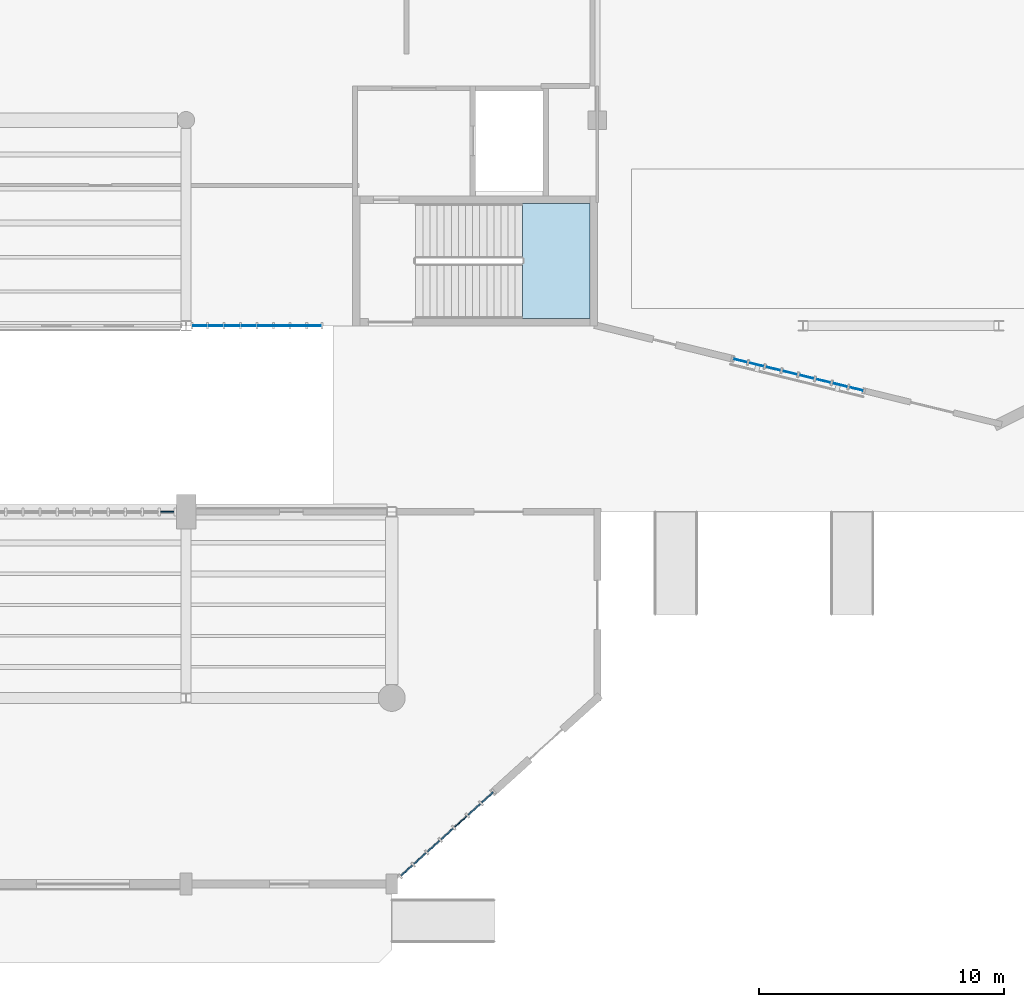
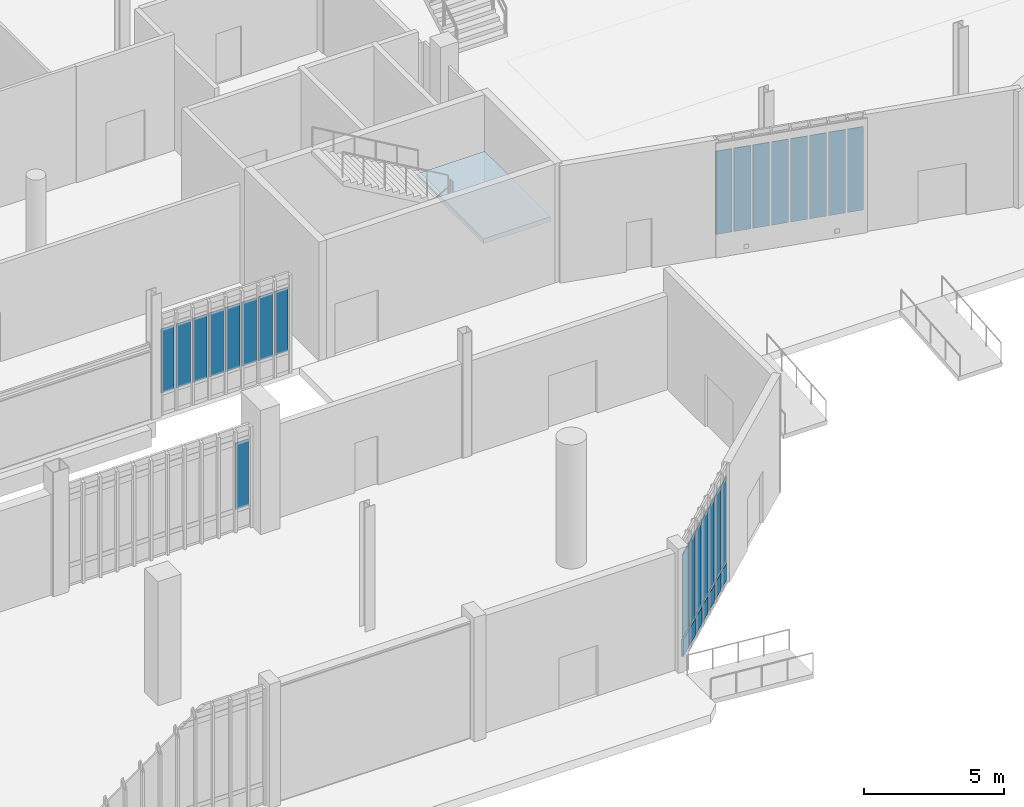
# One storey, part 57 of 111: 31 plates, 1 slab, 5 elements without a shape of their own.
"""IFC4 building model written with IfcOpenShell, lengths in metres."""

from ifc_helpers import new_model, si_unit, direction, frame, origin, origin_2d, place, context, subcontext, project, spatial, polyline, rectangle, outline, extrude, material, layer, layer_set, type_object, element, aggregate, save


model = new_model("IFC4")

# Units and contexts
model_context = context("Model", 3, precision=1e-05, world=origin(), true_north=direction((0.0, 1.0)))
body_context = subcontext(model_context, "Body", "Model", "MODEL_VIEW")
ifc_project = project(units=[si_unit("LENGTHUNIT", "METRE"), si_unit("AREAUNIT", "SQUARE_METRE"), si_unit("VOLUMEUNIT", "CUBIC_METRE"), si_unit("PLANEANGLEUNIT", "RADIAN"), si_unit("MASSUNIT", "GRAM", prefix="KILO")], contexts=[model_context])

# Site, building, storey
site_placement = place(None, origin())
site = spatial("IfcSite", under=ifc_project, at=site_placement, CompositionType="ELEMENT")
building_placement = place(site_placement, origin())
building = spatial("IfcBuilding", under=site, at=building_placement, Name="Larkvane Passage Sports Hall", CompositionType="ELEMENT")
storey_placement = place(building_placement, origin())
storey = spatial("IfcBuildingStorey", under=building, at=storey_placement, Name="L00", CompositionType="ELEMENT", Elevation=0.0)

# Curtain wall, plates
ifc_material_1 = material(Name="Thermally broken aluminium and low-E glazing", Category="aluminium")
curtain_wall_type_1 = type_object("IfcCurtainWallType", Name="CW-UNIT-VEIL", PredefinedType="USERDEFINED", material=ifc_material_1)
curtain_wall_1_placement = place(storey_placement, origin())
curtain_wall_1 = element("IfcCurtainWall", 1, at=curtain_wall_1_placement, inside=storey, type_object=curtain_wall_type_1, Name="Curtain wall CW5-L00-001", ObjectType="UNITISED CURTAIN WALL", PredefinedType="USERDEFINED")
ifc_material_2 = material(Name="Mineral-wool insulated spandrel cassette")
ifc_layer_1 = layer(ifc_material_2, 0.0849609375)
ifc_layer_set_1 = layer_set([ifc_layer_1], Name="Mineral-wool insulated spandrel cassette")
plate_type_1 = type_object("IfcPlateType", Name="CWP-SPD-85", PredefinedType="CURTAIN_PANEL", material=ifc_layer_set_1)
plate_1_placement = place(storey_placement, frame((89.10888671875, 3.53662109375, 0.0751953125), z_axis=(0.0, 0.0, 1.0), x_axis=(-0.741531704398, -0.670917827586, 0.0)))
plate_1 = element("IfcPlate", 2, at=plate_1_placement, type_object=plate_type_1, Name="CW-02 panel 1.1", PredefinedType="CURTAIN_PANEL", context=body_context, shape_type="SweptSolid", body=[
    extrude(rectangle(XDim=0.635009765625, YDim=0.0849609375, at=origin_2d()), origin(), (0.0, 0.0, 1.0), 0.737548828125),
])
plate_2_placement = place(storey_placement, frame((88.568603515625, 3.047607421875, 0.0751953125), z_axis=(0.0, 0.0, 1.0), x_axis=(-0.741531704398, -0.670917827586, 0.0)))
plate_2 = element("IfcPlate", 3, at=plate_2_placement, type_object=plate_type_1, Name="CW-02 panel 2.1", PredefinedType="CURTAIN_PANEL", context=body_context, shape_type="SweptSolid", body=[
    extrude(rectangle(XDim=0.672607421875, YDim=0.0849609375, at=origin_2d()), origin(), (0.0, 0.0, 1.0), 0.737548828125),
])
plate_3_placement = place(storey_placement, frame((88.01416015625, 2.546142578125, 0.0751953125), z_axis=(0.0, 0.0, 1.0), x_axis=(-0.741531704398, -0.670917827586, 0.0)))
plate_3 = element("IfcPlate", 4, at=plate_3_placement, type_object=plate_type_1, Name="CW-02 panel 3.1", PredefinedType="CURTAIN_PANEL", context=body_context, shape_type="SweptSolid", body=[
    extrude(rectangle(XDim=0.672607421875, YDim=0.0849609375, at=origin_2d()), origin(), (0.0, 0.0, 1.0), 0.737548828125),
])
plate_4_placement = place(storey_placement, frame((87.4599609375, 2.044677734375, 0.0751953125), z_axis=(0.0, 0.0, 1.0), x_axis=(-0.741531704398, -0.670917827586, 0.0)))
plate_4 = element("IfcPlate", 5, at=plate_4_placement, type_object=plate_type_1, Name="CW-02 panel 4.1", PredefinedType="CURTAIN_PANEL", context=body_context, shape_type="SweptSolid", body=[
    extrude(rectangle(XDim=0.672607421875, YDim=0.0849609375, at=origin_2d()), origin(), (0.0, 0.0, 1.0), 0.737548828125),
])
plate_5_placement = place(storey_placement, frame((86.905517578125, 1.543212890625, 0.0751953125), z_axis=(0.0, 0.0, 1.0), x_axis=(-0.741531704398, -0.670917827586, 0.0)))
plate_5 = element("IfcPlate", 6, at=plate_5_placement, type_object=plate_type_1, Name="CW-02 panel 5.1", PredefinedType="CURTAIN_PANEL", context=body_context, shape_type="SweptSolid", body=[
    extrude(rectangle(XDim=0.672607421875, YDim=0.0849609375, at=origin_2d()), origin(), (0.0, 0.0, 1.0), 0.737548828125),
])
plate_6_placement = place(storey_placement, frame((86.351318359375, 1.04150390625, 0.0751953125), z_axis=(0.0, 0.0, 1.0), x_axis=(-0.741531704398, -0.670917827586, 0.0)))
plate_6 = element("IfcPlate", 7, at=plate_6_placement, type_object=plate_type_1, Name="CW-02 panel 6.1", PredefinedType="CURTAIN_PANEL", context=body_context, shape_type="SweptSolid", body=[
    extrude(rectangle(XDim=0.672607421875, YDim=0.0849609375, at=origin_2d()), origin(), (0.0, 0.0, 1.0), 0.737548828125),
])
plate_7_placement = place(storey_placement, frame((85.810791015625, 0.552734375, 0.0751953125), z_axis=(0.0, 0.0, 1.0), x_axis=(-0.741531704398, -0.670917827586, 0.0)))
plate_7 = element("IfcPlate", 8, at=plate_7_placement, type_object=plate_type_1, Name="CW-02 panel 7.1", PredefinedType="CURTAIN_PANEL", context=body_context, shape_type="SweptSolid", body=[
    extrude(rectangle(XDim=0.635009765625, YDim=0.0849609375, at=origin_2d()), origin(), (0.0, 0.0, 1.0), 0.737548828125),
])
ifc_material_3 = material(Name="Laminated acoustic low-E glazing", Category="glass")
ifc_layer_2 = layer(ifc_material_3, 0.031982421875)
ifc_layer_set_2 = layer_set([ifc_layer_2], Name="Laminated acoustic low-E glazing")
plate_type_2 = type_object("IfcPlateType", Name="CWP-VIS-32", PredefinedType="CURTAIN_PANEL", material=ifc_layer_set_2)
plate_8_placement = place(storey_placement, frame((89.10888671875, 3.53662109375, 0.887451171875), z_axis=(0.0, 0.0, 1.0), x_axis=(-0.741531704398, -0.670917827586, 0.0)))
plate_8 = element("IfcPlate", 9, at=plate_8_placement, type_object=plate_type_2, Name="CW-02 panel 1.2", PredefinedType="CURTAIN_PANEL", context=body_context, shape_type="SweptSolid", body=[
    extrude(rectangle(XDim=0.635009765625, YDim=0.031982421875, at=origin_2d()), origin(), (0.0, 0.0, 1.0), 3.625),
])
plate_9_placement = place(storey_placement, frame((88.568603515625, 3.047607421875, 0.887451171875), z_axis=(0.0, 0.0, 1.0), x_axis=(-0.741531704398, -0.670917827586, 0.0)))
plate_9 = element("IfcPlate", 10, at=plate_9_placement, type_object=plate_type_2, Name="CW-02 panel 2.2", PredefinedType="CURTAIN_PANEL", context=body_context, shape_type="SweptSolid", body=[
    extrude(rectangle(XDim=0.672607421875, YDim=0.031982421875, at=origin_2d()), origin(), (0.0, 0.0, 1.0), 3.625),
])
plate_10_placement = place(storey_placement, frame((88.01416015625, 2.546142578125, 0.887451171875), z_axis=(0.0, 0.0, 1.0), x_axis=(-0.741531704398, -0.670917827586, 0.0)))
plate_10 = element("IfcPlate", 11, at=plate_10_placement, type_object=plate_type_2, Name="CW-02 panel 3.2", PredefinedType="CURTAIN_PANEL", context=body_context, shape_type="SweptSolid", body=[
    extrude(rectangle(XDim=0.672607421875, YDim=0.031982421875, at=origin_2d()), origin(), (0.0, 0.0, 1.0), 3.625),
])
plate_11_placement = place(storey_placement, frame((87.4599609375, 2.044677734375, 0.887451171875), z_axis=(0.0, 0.0, 1.0), x_axis=(-0.741531704398, -0.670917827586, 0.0)))
plate_11 = element("IfcPlate", 12, at=plate_11_placement, type_object=plate_type_2, Name="CW-02 panel 4.2", PredefinedType="CURTAIN_PANEL", context=body_context, shape_type="SweptSolid", body=[
    extrude(rectangle(XDim=0.672607421875, YDim=0.031982421875, at=origin_2d()), origin(), (0.0, 0.0, 1.0), 3.625),
])
plate_12_placement = place(storey_placement, frame((86.905517578125, 1.543212890625, 0.887451171875), z_axis=(0.0, 0.0, 1.0), x_axis=(-0.741531704398, -0.670917827586, 0.0)))
plate_12 = element("IfcPlate", 13, at=plate_12_placement, type_object=plate_type_2, Name="CW-02 panel 5.2", PredefinedType="CURTAIN_PANEL", context=body_context, shape_type="SweptSolid", body=[
    extrude(rectangle(XDim=0.672607421875, YDim=0.031982421875, at=origin_2d()), origin(), (0.0, 0.0, 1.0), 3.625),
])
plate_13_placement = place(storey_placement, frame((86.351318359375, 1.04150390625, 0.887451171875), z_axis=(0.0, 0.0, 1.0), x_axis=(-0.741531704398, -0.670917827586, 0.0)))
plate_13 = element("IfcPlate", 14, at=plate_13_placement, type_object=plate_type_2, Name="CW-02 panel 6.2", PredefinedType="CURTAIN_PANEL", context=body_context, shape_type="SweptSolid", body=[
    extrude(rectangle(XDim=0.672607421875, YDim=0.031982421875, at=origin_2d()), origin(), (0.0, 0.0, 1.0), 3.625),
])
plate_14_placement = place(storey_placement, frame((85.810791015625, 0.552734375, 0.887451171875), z_axis=(0.0, 0.0, 1.0), x_axis=(-0.741531704398, -0.670917827586, 0.0)))
plate_14 = element("IfcPlate", 15, at=plate_14_placement, type_object=plate_type_2, Name="CW-02 panel 7.2", PredefinedType="CURTAIN_PANEL", context=body_context, shape_type="SweptSolid", body=[
    extrude(rectangle(XDim=0.635009765625, YDim=0.031982421875, at=origin_2d()), origin(), (0.0, 0.0, 1.0), 3.625),
])
aggregate(curtain_wall_1, [plate_1, plate_8, plate_2, plate_9, plate_3, plate_10, plate_4, plate_11, plate_5, plate_12, plate_6, plate_13, plate_7, plate_14])

curtain_wall_2_placement = place(storey_placement, origin())
curtain_wall_2 = element("IfcCurtainWall", 16, at=curtain_wall_2_placement, inside=storey, type_object=curtain_wall_type_1, Name="Curtain wall CW5-L00-025", ObjectType="UNITISED CURTAIN WALL", PredefinedType="USERDEFINED")
plate_15_placement = place(storey_placement, frame((104.17333984375, 20.22119140625, 0.887451171875), z_axis=(0.0, 0.0, 1.0), x_axis=(-0.971516945962, 0.236970090326, 0.0)))
plate_15 = element("IfcPlate", 17, at=plate_15_placement, type_object=plate_type_2, Name="CW-02 panel 1.2", PredefinedType="CURTAIN_PANEL", context=body_context, shape_type="SweptSolid", body=[
    extrude(rectangle(XDim=0.5908203125, YDim=0.031982421875, at=origin_2d()), origin(), (0.0, 0.0, 1.0), 3.625),
])
plate_16_placement = place(storey_placement, frame((103.50830078125, 20.38330078125, 0.887451171875), z_axis=(0.0, 0.0, 1.0), x_axis=(-0.971516945962, 0.236970090326, 0.0)))
plate_16 = element("IfcPlate", 18, at=plate_16_placement, type_object=plate_type_2, Name="CW-02 panel 2.2", PredefinedType="CURTAIN_PANEL", context=body_context, shape_type="SweptSolid", body=[
    extrude(rectangle(XDim=0.62841796875, YDim=0.031982421875, at=origin_2d()), origin(), (0.0, 0.0, 1.0), 3.625),
])
plate_17_placement = place(storey_placement, frame((102.824951171875, 20.550048828125, 0.887451171875), z_axis=(0.0, 0.0, 1.0), x_axis=(-0.971516945962, 0.236970090326, 0.0)))
plate_17 = element("IfcPlate", 19, at=plate_17_placement, type_object=plate_type_2, Name="CW-02 panel 3.2", PredefinedType="CURTAIN_PANEL", context=body_context, shape_type="SweptSolid", body=[
    extrude(rectangle(XDim=0.62841796875, YDim=0.031982421875, at=origin_2d()), origin(), (0.0, 0.0, 1.0), 3.625),
])
plate_18_placement = place(storey_placement, frame((102.1416015625, 20.716552734375, 0.887451171875), z_axis=(0.0, 0.0, 1.0), x_axis=(-0.971516945962, 0.236970090326, 0.0)))
plate_18 = element("IfcPlate", 20, at=plate_18_placement, type_object=plate_type_2, Name="CW-02 panel 4.2", PredefinedType="CURTAIN_PANEL", context=body_context, shape_type="SweptSolid", body=[
    extrude(rectangle(XDim=0.62841796875, YDim=0.031982421875, at=origin_2d()), origin(), (0.0, 0.0, 1.0), 3.625),
])
plate_19_placement = place(storey_placement, frame((101.458251953125, 20.88330078125, 0.887451171875), z_axis=(0.0, 0.0, 1.0), x_axis=(-0.971516945962, 0.236970090326, 0.0)))
plate_19 = element("IfcPlate", 21, at=plate_19_placement, type_object=plate_type_2, Name="CW-02 panel 5.2", PredefinedType="CURTAIN_PANEL", context=body_context, shape_type="SweptSolid", body=[
    extrude(rectangle(XDim=0.62841796875, YDim=0.031982421875, at=origin_2d()), origin(), (0.0, 0.0, 1.0), 3.625),
])
plate_20_placement = place(storey_placement, frame((100.77490234375, 21.050048828125, 0.887451171875), z_axis=(0.0, 0.0, 1.0), x_axis=(-0.971516945962, 0.236970090326, 0.0)))
plate_20 = element("IfcPlate", 22, at=plate_20_placement, type_object=plate_type_2, Name="CW-02 panel 6.2", PredefinedType="CURTAIN_PANEL", context=body_context, shape_type="SweptSolid", body=[
    extrude(rectangle(XDim=0.62841796875, YDim=0.031982421875, at=origin_2d()), origin(), (0.0, 0.0, 1.0), 3.625),
])
plate_21_placement = place(storey_placement, frame((100.091796875, 21.216796875, 0.887451171875), z_axis=(0.0, 0.0, 1.0), x_axis=(-0.971516945962, 0.236970090326, 0.0)))
plate_21 = element("IfcPlate", 23, at=plate_21_placement, type_object=plate_type_2, Name="CW-02 panel 7.2", PredefinedType="CURTAIN_PANEL", context=body_context, shape_type="SweptSolid", body=[
    extrude(rectangle(XDim=0.62841796875, YDim=0.031982421875, at=origin_2d()), origin(), (0.0, 0.0, 1.0), 3.625),
])
plate_22_placement = place(storey_placement, frame((99.426513671875, 21.37890625, 0.887451171875), z_axis=(0.0, 0.0, 1.0), x_axis=(-0.971516945962, 0.236970090326, 0.0)))
plate_22 = element("IfcPlate", 24, at=plate_22_placement, type_object=plate_type_2, Name="CW-02 panel 8.2", PredefinedType="CURTAIN_PANEL", context=body_context, shape_type="SweptSolid", body=[
    extrude(rectangle(XDim=0.5908203125, YDim=0.031982421875, at=origin_2d()), origin(), (0.0, 0.0, 1.0), 3.625),
])
aggregate(curtain_wall_2, [plate_15, plate_16, plate_17, plate_18, plate_19, plate_20, plate_21, plate_22])

curtain_wall_type_2 = type_object("IfcCurtainWallType", Name="CW-STICK-FOYER", PredefinedType="USERDEFINED", material=ifc_material_1)
curtain_wall_3_placement = place(storey_placement, origin())
curtain_wall_3 = element("IfcCurtainWall", 25, at=curtain_wall_3_placement, inside=storey, type_object=curtain_wall_type_2, Name="Curtain wall CW5-L00-026", ObjectType="STICK CURTAIN WALL", PredefinedType="USERDEFINED")
ifc_material_4 = material(Name="High-impact court low-E glazing", Category="glass")
ifc_layer_3 = layer(ifc_material_4, 0.035888671875)
ifc_layer_set_3 = layer_set([ifc_layer_3], Name="High-impact court low-E glazing")
plate_type_3 = type_object("IfcPlateType", Name="CWP-VIS-36", PredefinedType="CURTAIN_PANEL", material=ifc_layer_set_3)
plate_23_placement = place(storey_placement, frame((82.039794921875, 22.800048828125, 0.89501953125), z_axis=(0.0, 0.0, 1.0), x_axis=(-1.0, 0.0, 0.0)))
plate_23 = element("IfcPlate", 26, at=plate_23_placement, type_object=plate_type_3, Name="CW-03 panel 1.2", PredefinedType="CURTAIN_PANEL", context=body_context, shape_type="SweptSolid", body=[
    extrude(rectangle(XDim=0.540283203125, YDim=0.035888671875, at=origin_2d()), origin(), (0.0, 0.0, 1.0), 2.778076171875),
])
plate_24_placement = place(storey_placement, frame((81.38720703125, 22.800048828125, 0.89501953125), z_axis=(0.0, 0.0, 1.0), x_axis=(-1.0, 0.0, 0.0)))
plate_24 = element("IfcPlate", 27, at=plate_24_placement, type_object=plate_type_3, Name="CW-03 panel 2.2", PredefinedType="CURTAIN_PANEL", context=body_context, shape_type="SweptSolid", body=[
    extrude(rectangle(XDim=0.585205078125, YDim=0.035888671875, at=origin_2d()), origin(), (0.0, 0.0, 1.0), 2.778076171875),
])
plate_25_placement = place(storey_placement, frame((80.7119140625, 22.800048828125, 0.89501953125), z_axis=(0.0, 0.0, 1.0), x_axis=(-1.0, 0.0, 0.0)))
plate_25 = element("IfcPlate", 28, at=plate_25_placement, type_object=plate_type_3, Name="CW-03 panel 3.2", PredefinedType="CURTAIN_PANEL", context=body_context, shape_type="SweptSolid", body=[
    extrude(rectangle(XDim=0.585205078125, YDim=0.035888671875, at=origin_2d()), origin(), (0.0, 0.0, 1.0), 2.778076171875),
])
plate_26_placement = place(storey_placement, frame((80.036865234375, 22.800048828125, 0.89501953125), z_axis=(0.0, 0.0, 1.0), x_axis=(-1.0, 0.0, 0.0)))
plate_26 = element("IfcPlate", 29, at=plate_26_placement, type_object=plate_type_3, Name="CW-03 panel 4.2", PredefinedType="CURTAIN_PANEL", context=body_context, shape_type="SweptSolid", body=[
    extrude(rectangle(XDim=0.585205078125, YDim=0.035888671875, at=origin_2d()), origin(), (0.0, 0.0, 1.0), 2.778076171875),
])
plate_27_placement = place(storey_placement, frame((79.361572265625, 22.800048828125, 0.89501953125), z_axis=(0.0, 0.0, 1.0), x_axis=(-1.0, 0.0, 0.0)))
plate_27 = element("IfcPlate", 30, at=plate_27_placement, type_object=plate_type_3, Name="CW-03 panel 5.2", PredefinedType="CURTAIN_PANEL", context=body_context, shape_type="SweptSolid", body=[
    extrude(rectangle(XDim=0.585205078125, YDim=0.035888671875, at=origin_2d()), origin(), (0.0, 0.0, 1.0), 2.778076171875),
])
plate_28_placement = place(storey_placement, frame((78.6865234375, 22.800048828125, 0.89501953125), z_axis=(0.0, 0.0, 1.0), x_axis=(-1.0, 0.0, 0.0)))
plate_28 = element("IfcPlate", 31, at=plate_28_placement, type_object=plate_type_3, Name="CW-03 panel 6.2", PredefinedType="CURTAIN_PANEL", context=body_context, shape_type="SweptSolid", body=[
    extrude(rectangle(XDim=0.585205078125, YDim=0.035888671875, at=origin_2d()), origin(), (0.0, 0.0, 1.0), 2.778076171875),
])
plate_29_placement = place(storey_placement, frame((78.01123046875, 22.800048828125, 0.89501953125), z_axis=(0.0, 0.0, 1.0), x_axis=(-1.0, 0.0, 0.0)))
plate_29 = element("IfcPlate", 32, at=plate_29_placement, type_object=plate_type_3, Name="CW-03 panel 7.2", PredefinedType="CURTAIN_PANEL", context=body_context, shape_type="SweptSolid", body=[
    extrude(rectangle(XDim=0.585205078125, YDim=0.035888671875, at=origin_2d()), origin(), (0.0, 0.0, 1.0), 2.778076171875),
])
plate_30_placement = place(storey_placement, frame((77.358642578125, 22.800048828125, 0.89501953125), z_axis=(0.0, 0.0, 1.0), x_axis=(-1.0, 0.0, 0.0)))
plate_30 = element("IfcPlate", 33, at=plate_30_placement, type_object=plate_type_3, Name="CW-03 panel 8.2", PredefinedType="CURTAIN_PANEL", context=body_context, shape_type="SweptSolid", body=[
    extrude(rectangle(XDim=0.540283203125, YDim=0.035888671875, at=origin_2d()), origin(), (0.0, 0.0, 1.0), 2.778076171875),
])
aggregate(curtain_wall_3, [plate_23, plate_24, plate_25, plate_26, plate_27, plate_28, plate_29, plate_30])

# Curtain wall, plate
curtain_wall_type_3 = type_object("IfcCurtainWallType", Name="CW-CLINIC", PredefinedType="USERDEFINED", material=ifc_material_1)
curtain_wall_4_placement = place(storey_placement, origin())
curtain_wall_4 = element("IfcCurtainWall", 34, at=curtain_wall_4_placement, inside=storey, type_object=curtain_wall_type_3, Name="Curtain wall CW5-L00-027", ObjectType="UNITISED CURTAIN WALL", PredefinedType="USERDEFINED")
ifc_material_5 = material(Name="Triple-laminated typhoon glazing", Category="glass")
ifc_layer_4 = layer(ifc_material_5, 0.0419921875)
ifc_layer_set_4 = layer_set([ifc_layer_4], Name="Triple-laminated typhoon glazing")
plate_type_4 = type_object("IfcPlateType", Name="CWP-VIS-42", PredefinedType="CURTAIN_PANEL", material=ifc_layer_set_4)
plate_31_placement = place(storey_placement, frame((76.031005859375, 15.199951171875, 0.89990234375), z_axis=(0.0, 0.0, 1.0), x_axis=(1.0, 0.0, 0.0)))
plate_31 = element("IfcPlate", 35, at=plate_31_placement, type_object=plate_type_4, Name="CW-05 panel 11.2", PredefinedType="CURTAIN_PANEL", context=body_context, shape_type="SweptSolid", body=[
    extrude(rectangle(XDim=0.546142578125, YDim=0.0419921875, at=origin_2d()), origin(), (0.0, 0.0, 1.0), 2.885986328125),
])
aggregate(curtain_wall_4, [plate_31])

# Stair, slab
ifc_material_6 = material(Name="Concrete C40/50", Category="concrete")
stair_type = type_object("IfcStairType", Name="STR-CORE-2250", PredefinedType="HALF_TURN_STAIR", material=ifc_material_6)
stair_placement = place(storey_placement, origin())
stair = element("IfcStair", 36, at=stair_placement, inside=storey, type_object=stair_type, Name="L00 Protected exit stair ST-04", PredefinedType="HALF_TURN_STAIR")
ifc_layer_5 = layer(ifc_material_6, 0.199951171875)
ifc_layer_set_5 = layer_set([ifc_layer_5], Name="Concrete C40/50")
slab_type = type_object("IfcSlabType", Name="SLB-LAND-200", PredefinedType="LANDING", material=ifc_layer_set_5)
slab_placement = place(storey_placement, frame((0.0, 0.0, 2.5)))
slab = element("IfcSlab", 37, at=slab_placement, type_object=slab_type, Name="ST-04 landing 1", PredefinedType="LANDING", context=body_context, shape_type="SweptSolid", body=[
    extrude(outline(polyline([(90.530029296875, 23.10009765625), (93.300048828125, 23.10009765625), (93.300048828125, 27.800048828125), (90.530029296875, 27.800048828125), (90.530029296875, 23.10009765625)])), origin(), (0.0, 0.0, 1.0), 0.199951171875),
])
aggregate(stair, [slab])

save(model, "model.ifc")
